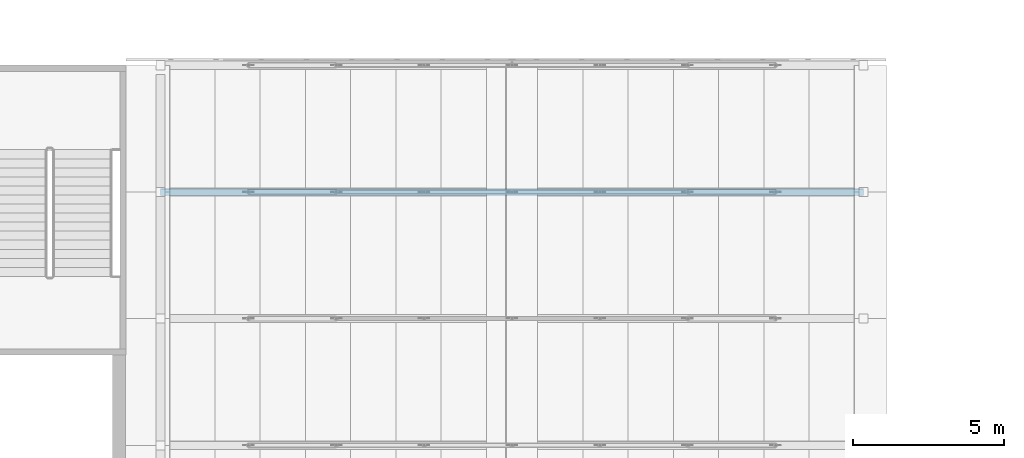
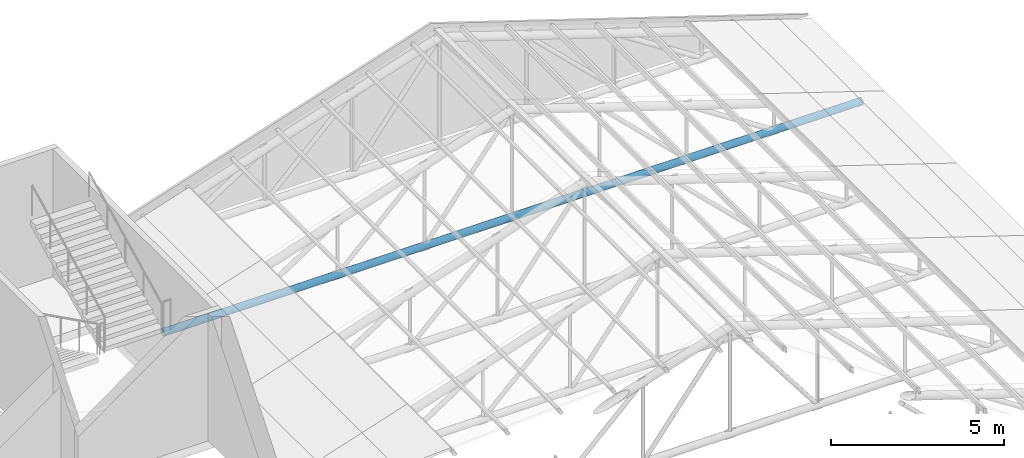
# One storey, part 51 of 95: 1 member.
"""IFC4 building model written with IfcOpenShell, lengths in metres."""

import ifcopenshell
import ifcopenshell.guid

model = None  # the IFC model being written
_history = None  # IfcOwnerHistory: only IFC2X3 demands one
_inside = {}  # id of a spatial element -> (the spatial element, [elements in it])
_under = {}  # id of a project, library or spatial element -> (it, [spatial elements below it])
_declared = {}  # id of a project -> (the project, [libraries it declares])
_typed = {}  # id of a type object -> (the type object, [elements of that type])
_made_of = {}  # id of a material, layer set ... -> (it, [elements and type objects made of it])


def new_model(schema):
    """Start an empty IFC model of exactly this schema.

    Asked for "IFC4X3", IfcOpenShell would pick the latest addendum, in which some entities
    have other attributes; the version numbers below select the first issue.
    IFC2X3 requires an IfcOwnerHistory on every rooted entity: one is made here for all.
    """
    global model, _history
    if schema == "IFC4X3":
        model = ifcopenshell.file(schema_version=(4, 3, 0, 0))
    else:
        model = ifcopenshell.file(schema=schema)
    _inside.clear()
    _under.clear()
    _declared.clear()
    _typed.clear()
    _made_of.clear()
    _history = None
    if model.schema == "IFC2X3":
        org = make("IfcOrganization", Name="unknown")
        user = make(
            "IfcPersonAndOrganization",
            ThePerson=make("IfcPerson", FamilyName="unknown"),
            TheOrganization=org,
        )
        app = make(
            "IfcApplication",
            ApplicationDeveloper=org,
            Version="unknown",
            ApplicationFullName="unknown",
            ApplicationIdentifier="unknown",
        )
        _history = make(
            "IfcOwnerHistory",
            OwningUser=user,
            OwningApplication=app,
            ChangeAction="ADDED",
            CreationDate=0,
        )
    return model


def make(cls, **values):
    """One entity of the class cls with the attributes given. An attribute that is None is left unset."""
    return model.create_entity(
        cls, **{name: value for name, value in values.items() if value is not None}
    )


def rooted(cls, **values):
    """An entity with a GlobalId (a new one), such as an element, a storey or a relation."""
    return make(cls, GlobalId=ifcopenshell.guid.new(), OwnerHistory=_history, **values)


def si_unit(unit_type, name, prefix=None):
    """IfcSIUnit, for example si_unit("LENGTHUNIT", "METRE", prefix="MILLI")."""
    return make("IfcSIUnit", UnitType=unit_type, Prefix=prefix, Name=name)


def assignment(units):
    """IfcUnitAssignment: the units of a project."""
    return None if units is None else make("IfcUnitAssignment", Units=units)


def point(xyz):
    """IfcCartesianPoint."""
    return None if xyz is None else make("IfcCartesianPoint", Coordinates=xyz)


def direction(xyz):
    """IfcDirection."""
    return None if xyz is None else make("IfcDirection", DirectionRatios=xyz)


def frame(location, z_axis=None, x_axis=None):
    """IfcAxis2Placement3D, a coordinate frame: its origin and axes. An axis left out is left unset."""
    return make(
        "IfcAxis2Placement3D",
        Location=point(location),
        Axis=direction(z_axis),
        RefDirection=direction(x_axis),
    )


def frame_2d(location, x_axis=None):
    """IfcAxis2Placement2D, a coordinate frame in the plane: its origin and x axis."""
    return make(
        "IfcAxis2Placement2D", Location=point(location), RefDirection=direction(x_axis)
    )


def origin():
    """The frame at (0, 0, 0) with its axes left unset."""
    return frame((0.0, 0.0, 0.0))


def origin_2d():
    """The frame at (0, 0) in the plane with its x axis left unset."""
    return frame_2d((0.0, 0.0))


def place(relative_to, where):
    """IfcLocalPlacement: puts the frame where relative to a parent placement (None: the world)."""
    return make(
        "IfcLocalPlacement", PlacementRelTo=relative_to, RelativePlacement=where
    )


def context(
    kind, dimensions, precision=None, world=None, true_north=None, identifier=None
):
    """IfcGeometricRepresentationContext, for example the 3D "Model" context."""
    return make(
        "IfcGeometricRepresentationContext",
        ContextIdentifier=identifier,
        ContextType=kind,
        CoordinateSpaceDimension=dimensions,
        Precision=precision,
        WorldCoordinateSystem=world,
        TrueNorth=true_north,
    )


def subcontext(parent, identifier, kind, view, scale=None):
    """IfcGeometricRepresentationSubContext, for example "Body" below "Model"."""
    return make(
        "IfcGeometricRepresentationSubContext",
        ContextIdentifier=identifier,
        ContextType=kind,
        ParentContext=parent,
        TargetScale=scale,
        TargetView=view,
    )


def project(units=None, contexts=None):
    """IfcProject with its units and contexts."""
    return rooted(
        "IfcProject",
        Name="project",
        RepresentationContexts=contexts,
        UnitsInContext=assignment(units),
    )


def spatial(cls, under=None, at=None, **own):
    """A site, building, storey or space (cls), placed at a placement, below another one or the project."""
    s = rooted(cls, ObjectPlacement=at, **own)
    if under is not None:
        _under.setdefault(under.id(), (under, []))[1].append(s)
    return s


def profile(cls, at=None, kind="AREA", **sizes):
    """A parametric profile (cls). Its sizes go by their IFC names, for example OverallWidth=200.0."""
    return make(cls, ProfileType=kind, Position=at, **sizes)


def hollow_circle(**sizes):
    """IfcCircleHollowProfileDef."""
    return profile("IfcCircleHollowProfileDef", **sizes)


def extrude(swept, where, along, depth):
    """IfcExtrudedAreaSolid: the profile swept, set in the frame where, extruded along a direction by depth."""
    return make(
        "IfcExtrudedAreaSolid",
        SweptArea=swept,
        Position=where,
        ExtrudedDirection=direction(along),
        Depth=depth,
    )


def shape(context_of_items, identifier, shape_type, items):
    """IfcShapeRepresentation: the items that make up one representation, for example the "Body"."""
    return make(
        "IfcShapeRepresentation",
        ContextOfItems=context_of_items,
        RepresentationIdentifier=identifier,
        RepresentationType=shape_type,
        Items=items,
    )


def material(Name=None, Category=None):
    """IfcMaterial."""
    return make("IfcMaterial", Name=Name, Category=Category)


def material_profile(
    of_material, cross_section, Name=None, Category=None, Priority=None
):
    """IfcMaterialProfile: a cross section and its material."""
    return make(
        "IfcMaterialProfile",
        Name=Name,
        Material=of_material,
        Profile=cross_section,
        Priority=Priority,
        Category=Category,
    )


def profile_set(profiles, Name=None, composite=None):
    """IfcMaterialProfileSet."""
    return make(
        "IfcMaterialProfileSet",
        Name=Name,
        MaterialProfiles=profiles,
        CompositeProfile=composite,
    )


def made_of(thing, what):
    """Note that an element or type object is made of a material, layer set ...; save() writes the relation."""
    if what is not None:
        _made_of.setdefault(what.id(), (what, []))[1].append(thing)
    return thing


def type_object(cls, material=None, **own):
    """A type object (cls), such as IfcWallType, which elements share."""
    return made_of(rooted(cls, **own), material)


def element(
    cls,
    number,
    at=None,
    inside=None,
    cuts=None,
    type_object=None,
    material=None,
    context=None,
    identifier="Body",
    shape_type=None,
    held_by="IfcProductDefinitionShape",
    body=None,
    shapes=None,
    **own,
):
    """One element of the class cls, such as IfcWall. Its Tag is "e" and its number.

    at: its placement. inside: the storey or other place that contains it. cuts: it is an
    opening in that element (IfcRelVoidsElement). A single representation is given by context,
    identifier, shape_type and body (its items); several are given by shapes. held_by: the class
    of the entity that holds the representations. save() writes the other relations.
    """
    e = rooted(cls, Tag="e%d" % number, ObjectPlacement=at, **own)
    if body is not None:
        shapes = [shape(context, identifier, shape_type, body)]
    if shapes is not None:
        e.Representation = make(held_by, Representations=shapes)
    if inside is not None:
        _inside.setdefault(inside.id(), (inside, []))[1].append(e)
    if cuts is not None:
        rooted(
            "IfcRelVoidsElement", RelatingBuildingElement=cuts, RelatedOpeningElement=e
        )
    if type_object is not None:
        _typed.setdefault(type_object.id(), (type_object, []))[1].append(e)
    return made_of(e, material)


def aggregate(whole, parts):
    """IfcRelAggregates: a whole, such as a stair, and the parts it consists of."""
    return rooted("IfcRelAggregates", RelatingObject=whole, RelatedObjects=parts)


def save(model, path):
    """Write the relations noted so far, then the file.

    IfcRelAggregates (storeys below a building ...), IfcRelContainedInSpatialStructure (elements
    in a storey), IfcRelDefinesByType, IfcRelAssociatesMaterial and IfcRelDeclares: one each for
    every whole, place, type object, material and project.
    """
    for whole, parts in _under.values():
        aggregate(whole, parts)
    for where, things in _inside.values():
        rooted(
            "IfcRelContainedInSpatialStructure",
            RelatedElements=things,
            RelatingStructure=where,
        )
    for kind, things in _typed.values():
        rooted("IfcRelDefinesByType", RelatedObjects=things, RelatingType=kind)
    for what, things in _made_of.values():
        rooted("IfcRelAssociatesMaterial", RelatedObjects=things, RelatingMaterial=what)
    for by, libraries in _declared.values():
        rooted("IfcRelDeclares", RelatingContext=by, RelatedDefinitions=libraries)
    model.write(path)


model = new_model("IFC4")

# Units and contexts
model_context = context("Model", 3, precision=1e-05, world=origin(), true_north=direction((0.0, 1.0)))
body_context = subcontext(model_context, "Body", "Model", "MODEL_VIEW")
ifc_project = project(units=[si_unit("LENGTHUNIT", "METRE"), si_unit("AREAUNIT", "SQUARE_METRE"), si_unit("VOLUMEUNIT", "CUBIC_METRE"), si_unit("PLANEANGLEUNIT", "RADIAN"), si_unit("MASSUNIT", "GRAM", prefix="KILO")], contexts=[model_context])

# Site, building, storey
site_placement = place(None, origin())
site = spatial("IfcSite", under=ifc_project, at=site_placement, CompositionType="ELEMENT")
building_placement = place(site_placement, origin())
building = spatial("IfcBuilding", under=site, at=building_placement, Name="Kiln Court Media Centre", CompositionType="ELEMENT")
storey_placement = place(building_placement, frame((0.0, 0.0, 24.60009765625)))
storey = spatial("IfcBuildingStorey", under=building, at=storey_placement, Name="L05", CompositionType="ELEMENT", Elevation=24.60009765625)

# Member
ifc_material = material(Name="Steel ASTM A500 Gr C", Category="steel")
ifc_material_profile = material_profile(ifc_material, hollow_circle(Radius=0.122314453125, WallThickness=0.010009765625, at=origin_2d()), Name="CHS 244.5x10.0")
ifc_profile_set = profile_set([ifc_material_profile], Name="Steel ASTM A500 Gr C")
member_type = type_object("IfcMemberType", Name="Steel ASTM A500 Gr C CHS 244.5x10.0 truss chord", PredefinedType="CHORD", material=ifc_profile_set)
member_placement = place(storey_placement, frame((34.75, 63.0, -0.013916015625), z_axis=(1.0, 0.0, 0.0), x_axis=(0.0, 1.0, 0.0)))
element("IfcMember", 1, at=member_placement, inside=storey, type_object=member_type, Name="foyer truss FT-10 bottom chord truss chord", PredefinedType="CHORD", context=body_context, shape_type="SweptSolid", body=[
    extrude(hollow_circle(Radius=0.122314453125, WallThickness=0.010009765625, at=origin_2d()), origin(), (0.0, 0.0, 1.0), 23.300048828125),
])

save(model, "model.ifc")
